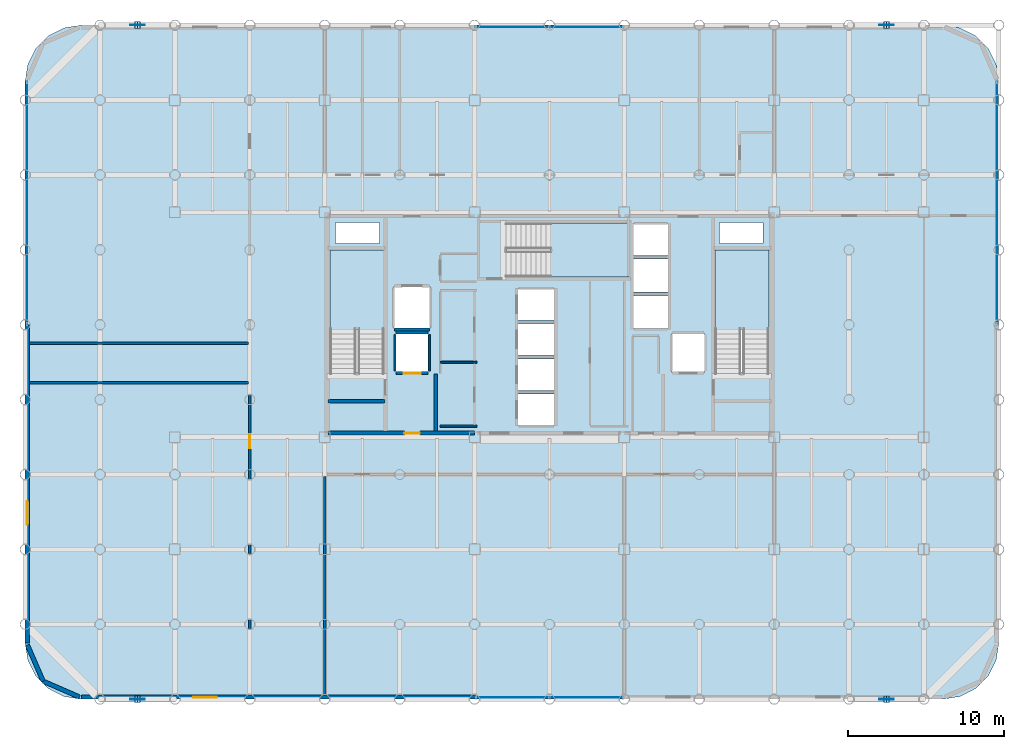
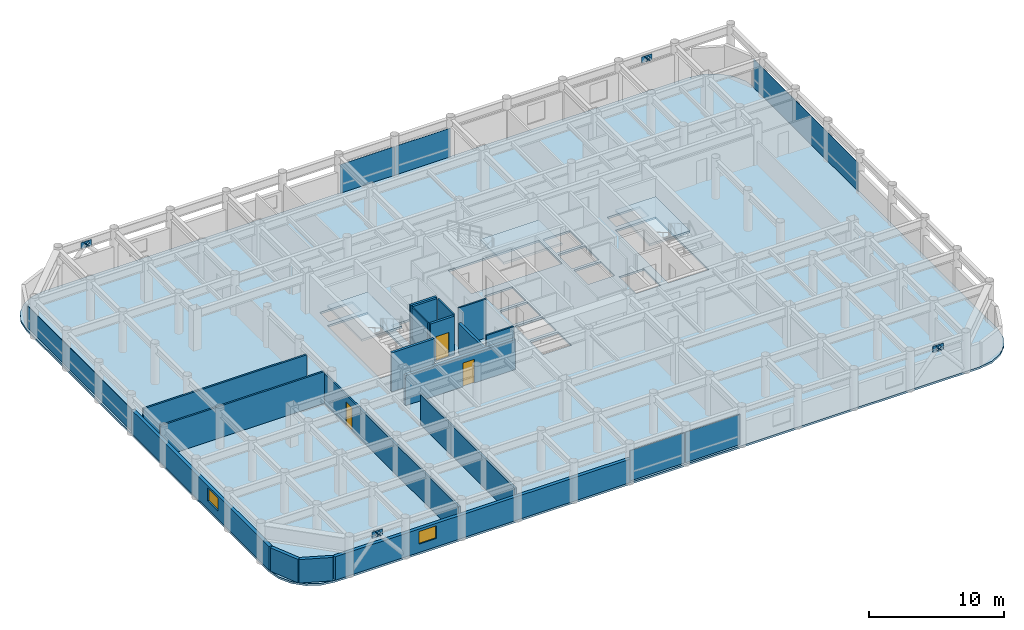
# One storey, part 15 of 19: 18 plates, 18 walls, 4 slabs, 3 doors, 2 windows, 5 openings, 7 elements without a shape of their own.
"""IFC4 building model written with IfcOpenShell, lengths in metres."""

from ifc_helpers import new_model, si_unit, direction, frame, frame_2d, origin, origin_2d, place, context, subcontext, project, spatial, polyline, rectangle, outline, extrude, material, layer, layer_set, type_object, element, fill, aggregate, save


model = new_model("IFC4")

# Units and contexts
model_context = context("Model", 3, precision=1e-05, world=origin(), true_north=direction((0.0, 1.0)))
body_context = subcontext(model_context, "Body", "Model", "MODEL_VIEW")
ifc_project = project(units=[si_unit("LENGTHUNIT", "METRE"), si_unit("AREAUNIT", "SQUARE_METRE"), si_unit("VOLUMEUNIT", "CUBIC_METRE"), si_unit("PLANEANGLEUNIT", "RADIAN"), si_unit("MASSUNIT", "GRAM", prefix="KILO")], contexts=[model_context])

# Site, building, storey
site_placement = place(None, origin())
site = spatial("IfcSite", under=ifc_project, at=site_placement, CompositionType="ELEMENT")
building_placement = place(site_placement, origin())
building = spatial("IfcBuilding", under=site, at=building_placement, Name="Kallvorn Hotel Tower", CompositionType="ELEMENT")
storey_placement = place(building_placement, frame((0.0, 0.0, 169.199951171875)))
storey = spatial("IfcBuildingStorey", under=building, at=storey_placement, Name="L42", CompositionType="ELEMENT", Elevation=169.199951171875)

# Curtain wall, plates
ifc_material_1 = material(Name="Thermally broken black-anodised aluminium AA 6063-T6", Category="aluminium")
ifc_layer_1 = layer(ifc_material_1, 0.2099609375)
ifc_layer_set_1 = layer_set([ifc_layer_1], Name="CW_SYS_4_HOTEL_MID")
curtain_wall_type = type_object("IfcCurtainWallType", Name="CW_SYS_4_HOTEL_MID", PredefinedType="USERDEFINED", material=ifc_layer_set_1)
curtain_wall_1_placement = place(storey_placement, origin())
curtain_wall_1 = element("IfcCurtainWall", 1, at=curtain_wall_1_placement, inside=storey, type_object=curtain_wall_type, Name="L42 Dark-Glass Curtain Wall CW-L42-SC", ObjectType="UNITISED CURTAIN WALL", PredefinedType="USERDEFINED")
ifc_material_2 = material(Name="Double-glazed low-e solar-control dark glass", Category="glass")
ifc_layer_2 = layer(ifc_material_2, 0.037841796875)
ifc_layer_set_2 = layer_set([ifc_layer_2], Name="CW_SYS_4_HOTEL_MID_PANEL")
plate_type_1 = type_object("IfcPlateType", Name="CW_SYS_4_HOTEL_MID_PANEL", PredefinedType="CURTAIN_PANEL", material=ifc_layer_set_2)
plate_1_placement = place(storey_placement, frame((-2.375, -23.8798828125, 0.06005859375), z_axis=(0.0, 0.0, 1.0), x_axis=(1.0, 0.0, 0.0)))
plate_1 = element("IfcPlate", 2, at=plate_1_placement, type_object=plate_type_1, Name="CW-L42-SC Vision Glass Panel 00", PredefinedType="CURTAIN_PANEL", context=body_context, shape_type="SweptSolid", body=[
    extrude(rectangle(XDim=4.68994140625, YDim=0.037841796875, at=origin_2d()), origin(), (0.0, 0.0, 1.0), 2.75),
])
plate_2_placement = place(storey_placement, frame((2.375, -23.8798828125, 0.06005859375), z_axis=(0.0, 0.0, 1.0), x_axis=(1.0, 0.0, 0.0)))
plate_2 = element("IfcPlate", 3, at=plate_2_placement, type_object=plate_type_1, Name="CW-L42-SC Vision Glass Panel 01", PredefinedType="CURTAIN_PANEL", context=body_context, shape_type="SweptSolid", body=[
    extrude(rectangle(XDim=4.68994140625, YDim=0.037841796875, at=origin_2d()), origin(), (0.0, 0.0, 1.0), 2.75),
])
aggregate(curtain_wall_1, [plate_1, plate_2])

curtain_wall_2_placement = place(storey_placement, origin())
curtain_wall_2 = element("IfcCurtainWall", 4, at=curtain_wall_2_placement, inside=storey, type_object=curtain_wall_type, Name="L42 Dark-Glass Curtain Wall CW-L42-NC", ObjectType="UNITISED CURTAIN WALL", PredefinedType="USERDEFINED")
plate_3_placement = place(storey_placement, frame((-2.375, 19.080078125, 0.06005859375), z_axis=(0.0, 0.0, 1.0), x_axis=(1.0, 0.0, 0.0)))
plate_3 = element("IfcPlate", 5, at=plate_3_placement, type_object=plate_type_1, Name="CW-L42-NC Vision Glass Panel 00", PredefinedType="CURTAIN_PANEL", context=body_context, shape_type="SweptSolid", body=[
    extrude(rectangle(XDim=4.68994140625, YDim=0.037841796875, at=origin_2d()), origin(), (0.0, 0.0, 1.0), 2.60009765625),
])
plate_4_placement = place(storey_placement, frame((2.375, 19.080078125, 0.06005859375), z_axis=(0.0, 0.0, 1.0), x_axis=(1.0, 0.0, 0.0)))
plate_4 = element("IfcPlate", 6, at=plate_4_placement, type_object=plate_type_1, Name="CW-L42-NC Vision Glass Panel 01", PredefinedType="CURTAIN_PANEL", context=body_context, shape_type="SweptSolid", body=[
    extrude(rectangle(XDim=4.68994140625, YDim=0.037841796875, at=origin_2d()), origin(), (0.0, 0.0, 1.0), 2.60009765625),
])
aggregate(curtain_wall_2, [plate_3, plate_4])

# Curtain wall, plate
curtain_wall_3_placement = place(storey_placement, origin())
curtain_wall_3 = element("IfcCurtainWall", 7, at=curtain_wall_3_placement, inside=storey, type_object=curtain_wall_type, Name="L42 Dark-Glass Curtain Wall CW-L42-WN", ObjectType="UNITISED CURTAIN WALL", PredefinedType="USERDEFINED")
plate_5_placement = place(storey_placement, frame((-33.47998046875, 7.81005859375, 0.06005859375), z_axis=(0.0, 0.0, 1.0), x_axis=(0.0, 1.0, 0.0)))
plate_5 = element("IfcPlate", 8, at=plate_5_placement, type_object=plate_type_1, Name="CW-L42-WN Vision Glass Panel 00", PredefinedType="CURTAIN_PANEL", context=body_context, shape_type="SweptSolid", body=[
    extrude(rectangle(XDim=15.52001953125, YDim=0.037841796875, at=origin_2d()), origin(), (0.0, 0.0, 1.0), 2.0),
])
aggregate(curtain_wall_3, [plate_5])

curtain_wall_4_placement = place(storey_placement, origin())
curtain_wall_4 = element("IfcCurtainWall", 9, at=curtain_wall_4_placement, inside=storey, type_object=curtain_wall_type, Name="L42 Dark-Glass Curtain Wall CW-L42-EN", ObjectType="UNITISED CURTAIN WALL", PredefinedType="USERDEFINED")
plate_6_placement = place(storey_placement, frame((28.679931640625, 7.81005859375, 0.06005859375), z_axis=(0.0, 0.0, 1.0), x_axis=(0.0, 1.0, 0.0)))
plate_6 = element("IfcPlate", 10, at=plate_6_placement, type_object=plate_type_1, Name="CW-L42-EN Vision Glass Panel 00", PredefinedType="CURTAIN_PANEL", context=body_context, shape_type="SweptSolid", body=[
    extrude(rectangle(XDim=15.52001953125, YDim=0.037841796875, at=origin_2d()), origin(), (0.0, 0.0, 1.0), 2.60009765625),
])
aggregate(curtain_wall_4, [plate_6])

# Plates
ifc_material_3 = material(Name="Structural steel S355JR", Category="steel")
ifc_layer_3 = layer(ifc_material_3, 0.030029296875)
ifc_layer_set_3 = layer_set([ifc_layer_3], Name="PLT_CAP_30")
plate_type_2 = type_object("IfcPlateType", Name="PLT_CAP_30", PredefinedType="SHEET", material=ifc_layer_set_3)
plate_7_placement = place(storey_placement, frame((-26.227294921875, -24.2177734375, 2.876708984375), z_axis=(0.646720691081, 0.0, 0.762726915565), x_axis=(0.0, 1.0, 0.0)))
element("IfcPlate", 11, at=plate_7_placement, inside=storey, type_object=plate_type_2, Name="EXO-L42-S1A End Cap Plate B", PredefinedType="SHEET", context=body_context, shape_type="SweptSolid", body=[
    extrude(outline(polyline([(0.0, 0.0), (0.435546875, 0.0), (0.435546875, 0.4356413597636253), (0.0, 0.4356413597636253), (0.0, 0.0)])), origin(), (0.0, 0.0, -1.0), 0.030029296875),
])
plate_8_placement = place(storey_placement, frame((-26.572509765625, -23.7822265625, 2.876708984375), z_axis=(-0.646997204148, 0.0, 0.762492372306), x_axis=(0.0, -1.0, 0.0)))
element("IfcPlate", 12, at=plate_8_placement, inside=storey, type_object=plate_type_2, Name="EXO-L42-S1B End Cap Plate B", PredefinedType="SHEET", context=body_context, shape_type="SweptSolid", body=[
    extrude(outline(polyline([(0.0, 0.0), (0.435546875, 0.0), (0.435546875, 0.43545517576240456), (0.0, 0.43545517576240456), (0.0, 0.0)])), origin(), (0.0, 0.0, -1.0), 0.030029296875),
])
plate_9_placement = place(storey_placement, frame((21.772705078125, -24.2177734375, 2.876708984375), z_axis=(0.646720691081, 0.0, 0.762726915565), x_axis=(0.0, 1.0, 0.0)))
element("IfcPlate", 13, at=plate_9_placement, inside=storey, type_object=plate_type_2, Name="EXO-L42-S2A End Cap Plate B", PredefinedType="SHEET", context=body_context, shape_type="SweptSolid", body=[
    extrude(outline(polyline([(0.0, 0.0), (0.435546875, 0.0), (0.435546875, 0.4356413597636253), (0.0, 0.4356413597636253), (0.0, 0.0)])), origin(), (0.0, 0.0, -1.0), 0.030029296875),
])
plate_10_placement = place(storey_placement, frame((21.427490234375, -23.7822265625, 2.876708984375), z_axis=(-0.646997204148, 0.0, 0.762492372306), x_axis=(0.0, -1.0, 0.0)))
element("IfcPlate", 14, at=plate_10_placement, inside=storey, type_object=plate_type_2, Name="EXO-L42-S2B End Cap Plate B", PredefinedType="SHEET", context=body_context, shape_type="SweptSolid", body=[
    extrude(outline(polyline([(0.0, 0.0), (0.435546875, 0.0), (0.435546875, 0.43545517576240456), (0.0, 0.43545517576240456), (0.0, 0.0)])), origin(), (0.0, 0.0, -1.0), 0.030029296875),
])
plate_11_placement = place(storey_placement, frame((-26.227294921875, 18.982177734375, 2.876708984375), z_axis=(0.646720691081, 0.0, 0.762726915565), x_axis=(0.0, 1.0, 0.0)))
element("IfcPlate", 15, at=plate_11_placement, inside=storey, type_object=plate_type_2, Name="EXO-L42-N1A End Cap Plate B", PredefinedType="SHEET", context=body_context, shape_type="SweptSolid", body=[
    extrude(outline(polyline([(0.0, 0.0), (0.435546875, 0.0), (0.435546875, 0.4356413597636253), (0.0, 0.4356413597636253), (0.0, 0.0)])), origin(), (0.0, 0.0, -1.0), 0.030029296875),
])
plate_12_placement = place(storey_placement, frame((-26.572509765625, 19.417724609375, 2.876708984375), z_axis=(-0.646997204148, 0.0, 0.762492372306), x_axis=(0.0, -1.0, 0.0)))
element("IfcPlate", 16, at=plate_12_placement, inside=storey, type_object=plate_type_2, Name="EXO-L42-N1B End Cap Plate B", PredefinedType="SHEET", context=body_context, shape_type="SweptSolid", body=[
    extrude(outline(polyline([(0.0, 0.0), (0.435546875, 0.0), (0.435546875, 0.43545517576240456), (0.0, 0.43545517576240456), (0.0, 0.0)])), origin(), (0.0, 0.0, -1.0), 0.030029296875),
])
plate_13_placement = place(storey_placement, frame((21.772705078125, 18.982177734375, 2.876708984375), z_axis=(0.646720691081, 0.0, 0.762726915565), x_axis=(0.0, 1.0, 0.0)))
element("IfcPlate", 17, at=plate_13_placement, inside=storey, type_object=plate_type_2, Name="EXO-L42-N2A End Cap Plate B", PredefinedType="SHEET", context=body_context, shape_type="SweptSolid", body=[
    extrude(outline(polyline([(0.0, 0.0), (0.435546875, 0.0), (0.435546875, 0.4356413597636253), (0.0, 0.4356413597636253), (0.0, 0.0)])), origin(), (0.0, 0.0, -1.0), 0.030029296875),
])
plate_14_placement = place(storey_placement, frame((21.427490234375, 19.417724609375, 2.876708984375), z_axis=(-0.646997204148, 0.0, 0.762492372306), x_axis=(0.0, -1.0, 0.0)))
element("IfcPlate", 18, at=plate_14_placement, inside=storey, type_object=plate_type_2, Name="EXO-L42-N2B End Cap Plate B", PredefinedType="SHEET", context=body_context, shape_type="SweptSolid", body=[
    extrude(outline(polyline([(0.0, 0.0), (0.435546875, 0.0), (0.435546875, 0.43545517576240456), (0.0, 0.43545517576240456), (0.0, 0.0)])), origin(), (0.0, 0.0, -1.0), 0.030029296875),
])
ifc_material_4 = material(Name="Structural steel S355JR", Category="steel")
ifc_layer_4 = layer(ifc_material_4, 0.034912109375)
ifc_layer_set_4 = layer_set([ifc_layer_4], Name="PLT_GUSSET_35")
plate_type_3 = type_object("IfcPlateType", Name="PLT_GUSSET_35", PredefinedType="USERDEFINED", material=ifc_layer_set_4)
for number, where, z_axis, x_axis, name in (
    (19, (-26.39990234375, -24.0, 2.68994140625), (0.0, 0.0, 1.0), (1.0, 0.0, 0.0), "L42 Exoskeleton Node Gusset S1"),
    (20, (21.60009765625, -24.0, 2.68994140625), (0.0, 0.0, 1.0), (1.0, 0.0, 0.0), "L42 Exoskeleton Node Gusset S2"),
    (21, (-26.39990234375, 19.199951171875, 2.68994140625), (0.0, 0.0, 1.0), (1.0, 0.0, 0.0), "L42 Exoskeleton Node Gusset N1"),
    (22, (21.60009765625, 19.199951171875, 2.68994140625), (0.0, 0.0, 1.0), (1.0, 0.0, 0.0), "L42 Exoskeleton Node Gusset N2"),
):
    element("IfcPlate", number, at=place(storey_placement, frame(where, z_axis=z_axis, x_axis=x_axis)), inside=storey, type_object=plate_type_3, Name=name, ObjectType="GUSSET PLATE", PredefinedType="USERDEFINED", context=body_context, shape_type="SweptSolid", body=[
        extrude(rectangle(XDim=0.89990234375, YDim=0.034912109375, at=origin_2d()), origin(), (0.0, 0.0, 1.0), 0.56005859375),
    ])

# Stair, slab
ifc_material_5 = material(Name="Precast concrete C40/50", Category="concrete")
stair_type = type_object("IfcStairType", Name="STR_CORE_DOGLEG", PredefinedType="HALF_TURN_STAIR", material=ifc_material_5)
stair_1_placement = place(storey_placement, origin())
stair_1 = element("IfcStair", 23, at=stair_1_placement, inside=storey, type_object=stair_type, Name="L42 Exit stair ST1", PredefinedType="HALF_TURN_STAIR")
ifc_material_6 = material(Name="Precast concrete C40/50", Category="concrete")
ifc_layer_5 = layer(ifc_material_6, 0.179931640625)
ifc_layer_set_5 = layer_set([ifc_layer_5], Name="SLB_LANDING_180")
slab_type_1 = type_object("IfcSlabType", Name="SLB_LANDING_180", PredefinedType="LANDING", material=ifc_layer_set_5)
slab_1_placement = place(storey_placement, frame((0.0, 0.0, 1.650146484375)))
slab_1 = element("IfcSlab", 24, at=slab_1_placement, type_object=slab_type_1, Name="ST1 landing 1", PredefinedType="LANDING", context=body_context, shape_type="SweptSolid", body=[
    extrude(outline(polyline([(-10.60009765625, -0.31005859375), (-10.60009765625, 4.800048828125), (-14.06005859375, 4.800048828125), (-14.06005859375, -0.31005859375), (-10.60009765625, -0.31005859375)])), origin(), (0.0, 0.0, 1.0), 0.199951171875),
])
aggregate(stair_1, [slab_1])

stair_2_placement = place(storey_placement, origin())
stair_2 = element("IfcStair", 25, at=stair_2_placement, inside=storey, type_object=stair_type, Name="L42 Exit stair ST2", PredefinedType="HALF_TURN_STAIR")
slab_2_placement = place(storey_placement, frame((0.0, 0.0, 1.650146484375)))
slab_2 = element("IfcSlab", 26, at=slab_2_placement, type_object=slab_type_1, Name="ST2 landing 1", PredefinedType="LANDING", context=body_context, shape_type="SweptSolid", body=[
    extrude(outline(polyline([(14.06005859375, -0.31005859375), (14.06005859375, 4.800048828125), (10.60009765625, 4.800048828125), (10.60009765625, -0.31005859375), (14.06005859375, -0.31005859375)])), origin(), (0.0, 0.0, 1.0), 0.199951171875),
])
aggregate(stair_2, [slab_2])

stair_3_placement = place(storey_placement, origin())
stair_3 = element("IfcStair", 27, at=stair_3_placement, inside=storey, type_object=stair_type, Name="L42 Exit stair ST3", PredefinedType="HALF_TURN_STAIR")
slab_3_placement = place(storey_placement, frame((0.0, 0.0, 1.650146484375)))
slab_3 = element("IfcSlab", 28, at=slab_3_placement, type_object=slab_type_1, Name="ST3 landing 1", PredefinedType="LANDING", context=body_context, shape_type="SweptSolid", body=[
    extrude(outline(polyline([(0.0400390625, 3.050048828125), (5.050048828125, 3.050048828125), (5.050048828125, 6.510009765625), (0.0400390625, 6.510009765625), (0.0400390625, 3.050048828125)])), origin(), (0.0, 0.0, 1.0), 0.199951171875),
])
aggregate(stair_3, [slab_3])

# Slab
ifc_material_7 = material(Name="Concrete C40/50", Category="concrete")
ifc_layer_6 = layer(ifc_material_7, 0.179931640625)
ifc_layer_set_6 = layer_set([ifc_layer_6], Name="SLB_TOWER_180")
slab_type_2 = type_object("IfcSlabType", Name="SLB_TOWER_180", PredefinedType="FLOOR", material=ifc_layer_set_6)
slab_4_placement = place(storey_placement, frame((0.0, 0.0, -0.179931640625)))
element("IfcSlab", 29, at=slab_4_placement, inside=storey, type_object=slab_type_2, Name="L42 Structural Floor Slab", PredefinedType="FLOOR", context=body_context, shape_type="SweptSolid", body=[
    extrude(outline(polyline([(25.199951171875, -24.0), (26.3125, -23.82373046875), (27.31591796875, -23.3125), (28.112548828125, -22.51611328125), (28.623779296875, -21.512451171875), (28.800048828125, -20.39990234375), (28.800048828125, 15.60009765625), (28.623779296875, 16.71240234375), (28.112548828125, 17.716064453125), (27.31591796875, 18.512451171875), (26.3125, 19.023681640625), (25.199951171875, 19.199951171875), (-30.0, 19.199951171875), (-31.112548828125, 19.023681640625), (-32.115966796875, 18.512451171875), (-32.91259765625, 17.716064453125), (-33.423828125, 16.71240234375), (-33.60009765625, 15.60009765625), (-33.60009765625, -20.39990234375), (-33.423828125, -21.512451171875), (-32.91259765625, -22.51611328125), (-32.115966796875, -23.3125), (-31.112548828125, -23.82373046875), (-30.0, -24.0), (25.199951171875, -24.0)]), holes=[polyline([(-10.60009765625, -3.070068359375), (-10.60009765625, 4.800048828125), (-14.06005859375, 4.800048828125), (-14.06005859375, -3.070068359375), (-10.60009765625, -3.070068359375)]), polyline([(14.06005859375, -3.070068359375), (14.06005859375, 4.800048828125), (10.60009765625, 4.800048828125), (10.60009765625, -3.070068359375), (14.06005859375, -3.070068359375)]), polyline([(-2.719970703125, 3.050048828125), (5.050048828125, 3.050048828125), (5.050048828125, 6.510009765625), (-2.719970703125, 6.510009765625), (-2.719970703125, 3.050048828125)]), polyline([(-2.050048828125, -6.449951171875), (0.35009765625, -6.449951171875), (0.35009765625, -4.449951171875), (-2.050048828125, -4.449951171875), (-2.050048828125, -6.449951171875)]), polyline([(-2.050048828125, -4.199951171875), (0.35009765625, -4.199951171875), (0.35009765625, -2.199951171875), (-2.050048828125, -2.199951171875), (-2.050048828125, -4.199951171875)]), polyline([(-2.050048828125, -1.949951171875), (0.35009765625, -1.949951171875), (0.35009765625, 0.050048828125), (-2.050048828125, 0.050048828125), (-2.050048828125, -1.949951171875)]), polyline([(-2.050048828125, 0.300048828125), (0.35009765625, 0.300048828125), (0.35009765625, 2.300048828125), (-2.050048828125, 2.300048828125), (-2.050048828125, 0.300048828125)]), polyline([(5.35009765625, -0.25), (7.64990234375, -0.25), (7.64990234375, 1.85009765625), (5.35009765625, 1.85009765625), (5.35009765625, -0.25)]), polyline([(5.35009765625, 2.10009765625), (7.64990234375, 2.10009765625), (7.64990234375, 4.199951171875), (5.35009765625, 4.199951171875), (5.35009765625, 2.10009765625)]), polyline([(5.35009765625, 4.449951171875), (7.64990234375, 4.449951171875), (7.64990234375, 6.449951171875), (5.35009765625, 6.449951171875), (5.35009765625, 4.449951171875)]), polyline([(-9.85009765625, -3.050048828125), (-7.75, -3.050048828125), (-7.75, -0.550048828125), (-9.85009765625, -0.550048828125), (-9.85009765625, -3.050048828125)]), polyline([(7.85009765625, -3.050048828125), (9.949951171875, -3.050048828125), (9.949951171875, -0.550048828125), (7.85009765625, -0.550048828125), (7.85009765625, -3.050048828125)]), polyline([(-9.949951171875, -0.25), (-7.64990234375, -0.25), (-7.64990234375, 2.449951171875), (-9.949951171875, 2.449951171875), (-9.949951171875, -0.25)]), polyline([(-13.699951171875, 5.199951171875), (-10.89990234375, 5.199951171875), (-10.89990234375, 6.550048828125), (-13.699951171875, 6.550048828125), (-13.699951171875, 5.199951171875)]), polyline([(10.89990234375, 5.199951171875), (13.699951171875, 5.199951171875), (13.699951171875, 6.550048828125), (10.89990234375, 6.550048828125), (10.89990234375, 5.199951171875)])]), origin(), (0.0, 0.0, 1.0), 0.179931640625),
])

# Walls
ifc_material_8 = material(Name="Precast basalt-clad insulated concrete wall C40/50", Category="masonry")
ifc_layer_7 = layer(ifc_material_8, 0.280029296875)
ifc_layer_set_7 = layer_set([ifc_layer_7], Name="WL_EXT_LOGGIA_280")
wall_type_1 = type_object("IfcWallType", Name="WL_EXT_LOGGIA_280", PredefinedType="SOLIDWALL", material=ifc_layer_set_7)
wall_1_placement = place(storey_placement, frame((-33.4580078125, -20.520751953125, 0.0), z_axis=(0.0, 0.0, 1.0), x_axis=(0.398792985289, -0.917040977756, 0.0)))
element("IfcWall", 30, at=wall_1_placement, inside=storey, type_object=wall_type_1, Name="L42 Rounded Corner Exterior Wall SW1", PredefinedType="SOLIDWALL", context=body_context, shape_type="SweptSolid", body=[
    extrude(rectangle(XDim=2.536376953125, YDim=0.280029296875, at=frame_2d((1.26806640625, 0.0))), origin(), (0.0, 0.0, 1.0), 2.1201171875),
])
wall_2_placement = place(storey_placement, frame((-32.446533203125, -22.8466796875, 0.0), z_axis=(0.0, 0.0, 1.0), x_axis=(0.917060872934, -0.398747232384, 0.0)))
element("IfcWall", 31, at=wall_2_placement, inside=storey, type_object=wall_type_1, Name="L42 Rounded Corner Exterior Wall SW2", PredefinedType="SOLIDWALL", context=body_context, shape_type="SweptSolid", body=[
    extrude(rectangle(XDim=2.5361328125, YDim=0.280029296875, at=frame_2d((1.26806640625, 0.0))), origin(), (0.0, 0.0, 1.0), 2.1201171875),
])

# Wall, opening, window
wall_3_placement = place(storey_placement, frame((-30.0, -23.860107421875, 0.0), z_axis=(0.0, 0.0, 1.0), x_axis=(1.0, 0.0, 0.0)))
wall_3 = element("IfcWall", 32, at=wall_3_placement, inside=storey, type_object=wall_type_1, Name="L42 Exterior Envelope Wall EW-L42-SW", PredefinedType="SOLIDWALL", context=body_context, shape_type="SweptSolid", body=[
    extrude(rectangle(XDim=25.25, YDim=0.280029296875, at=frame_2d((12.625, 0.0))), origin(), (0.0, 0.0, 1.0), 2.1201171875),
])
opening_1_placement = place(wall_3_placement, frame((7.1630859375, 0.0, 0.75)))
opening_1 = element("IfcOpeningElement", 33, at=opening_1_placement, cuts=wall_3, Name="Opening W05A", PredefinedType="OPENING", context=body_context, shape_type="SweptSolid", body=[
    extrude(rectangle(XDim=1.5, YDim=1.14990234375, at=frame_2d((0.75, 0.574951171875))), frame((0.0, 0.155029296875, 0.0), z_axis=(0.0, -1.0, 0.0), x_axis=(1.0, 0.0, 0.0)), (0.0, 0.0, 1.0), 0.31005859375),
])
ifc_material_9 = material(Name="Double-glazed low-e solar-control dark glass", Category="glass")
window_type = type_object("IfcWindowType", Name="WN_HTL_1500x1150", PartitioningType="SINGLE_PANEL", PredefinedType="WINDOW", material=ifc_material_9)
window_1_placement = place(opening_1_placement, origin())
window_1 = element("IfcWindow", 34, at=window_1_placement, inside=storey, type_object=window_type, Name="L42 Guestroom Exterior Window 01", OverallHeight=1.14990234375, OverallWidth=1.5, PartitioningType="SINGLE_PANEL", PredefinedType="WINDOW", context=body_context, shape_type="SweptSolid", body=[
    extrude(rectangle(XDim=1.5, YDim=1.14990234375, at=frame_2d((0.75, 0.574951171875))), frame((0.0, 0.030029296875, 0.0), z_axis=(0.0, -1.0, 0.0), x_axis=(1.0, 0.0, 0.0)), (0.0, 0.0, 1.0), 0.06005859375),
])
fill(opening_1, window_1)

wall_4_placement = place(storey_placement, frame((-33.4599609375, -20.39990234375, 0.0), z_axis=(0.0, 0.0, 1.0), x_axis=(0.0, 1.0, 0.0)))
wall_4 = element("IfcWall", 35, at=wall_4_placement, inside=storey, type_object=wall_type_1, Name="L42 Exterior Envelope Wall EW-L42-WS", PredefinedType="SOLIDWALL", context=body_context, shape_type="SweptSolid", body=[
    extrude(rectangle(XDim=20.3798828125, YDim=0.280029296875, at=frame_2d((10.18994140625, 0.0))), origin(), (0.0, 0.0, 1.0), 2.1201171875),
])
opening_2_placement = place(wall_4_placement, frame((7.590087890625, 0.0, 0.75)))
opening_2 = element("IfcOpeningElement", 36, at=opening_2_placement, cuts=wall_4, Name="Opening W05A", PredefinedType="OPENING", context=body_context, shape_type="SweptSolid", body=[
    extrude(rectangle(XDim=1.5, YDim=1.14990234375, at=frame_2d((0.75, 0.574951171875))), frame((0.0, 0.155029296875, 0.0), z_axis=(0.0, -1.0, 0.0), x_axis=(1.0, 0.0, 0.0)), (0.0, 0.0, 1.0), 0.31005859375),
])
window_2_placement = place(opening_2_placement, origin())
window_2 = element("IfcWindow", 37, at=window_2_placement, inside=storey, type_object=window_type, Name="L42 Flank Wing Window 02", OverallHeight=1.14990234375, OverallWidth=1.5, PartitioningType="SINGLE_PANEL", PredefinedType="WINDOW", context=body_context, shape_type="SweptSolid", body=[
    extrude(rectangle(XDim=1.5, YDim=1.14990234375, at=frame_2d((0.75, 0.574951171875))), frame((0.0, 0.030029296875, 0.0), z_axis=(0.0, -1.0, 0.0), x_axis=(1.0, 0.0, 0.0)), (0.0, 0.0, 1.0), 0.06005859375),
])
fill(opening_2, window_2)

# Walls
ifc_material_10 = material(Name="Concrete C40/50", Category="concrete")
ifc_layer_8 = layer(ifc_material_10, 0.219970703125)
ifc_layer_set_8 = layer_set([ifc_layer_8], Name="WL_FFL_220")
wall_type_2 = type_object("IfcWallType", Name="WL_FFL_220", PredefinedType="SOLIDWALL", material=ifc_layer_set_8)
wall_5_placement = place(storey_placement, frame((-7.300048828125, -6.820068359375, 0.0), z_axis=(0.0, 0.0, 1.0), x_axis=(0.0, 1.0, 0.0)))
element("IfcWall", 38, at=wall_5_placement, inside=storey, type_object=wall_type_2, Name="L42 Firefighting Lobby West Divider Wall", PredefinedType="SOLIDWALL", context=body_context, shape_type="SweptSolid", body=[
    extrude(rectangle(XDim=3.670166015625, YDim=0.219970703125, at=frame_2d((1.8349609375, 0.0))), origin(), (0.0, 0.0, 1.0), 2.719970703125),
])
ifc_material_11 = material(Name="Concrete C40/50", Category="concrete")
ifc_layer_9 = layer(ifc_material_11, 0.199951171875)
ifc_layer_set_9 = layer_set([ifc_layer_9], Name="WL_HOIST_200")
wall_type_3 = type_object("IfcWallType", Name="WL_HOIST_200", PredefinedType="SOLIDWALL", material=ifc_layer_set_9)
wall_6_placement = place(storey_placement, frame((-14.199951171875, -4.89990234375, -0.179931640625), z_axis=(0.0, 0.0, 1.0), x_axis=(1.0, 0.0, 0.0)))
element("IfcWall", 39, at=wall_6_placement, inside=storey, type_object=wall_type_3, Name="L42 Stair ST1 South Wall", PredefinedType="SOLIDWALL", context=body_context, shape_type="SweptSolid", body=[
    extrude(rectangle(XDim=3.64990234375, YDim=0.199951171875, at=frame_2d((1.824951171875, 0.0))), origin(), (0.0, 0.0, 1.0), 3.699951171875),
])

# Wall, opening, door
wall_7_placement = place(storey_placement, frame((-9.820068359375, -3.10009765625, 0.0), z_axis=(0.0, 0.0, 1.0), x_axis=(1.0, 0.0, 0.0)))
wall_7 = element("IfcWall", 40, at=wall_7_placement, inside=storey, type_object=wall_type_3, Name="L42 FL-1 Landing Wall", PredefinedType="SOLIDWALL", context=body_context, shape_type="SweptSolid", body=[
    extrude(rectangle(XDim=2.0400390625, YDim=0.199951171875, at=frame_2d((1.02001953125, 0.0))), origin(), (0.0, 0.0, 1.0), 3.52001953125),
])
opening_3_placement = place(wall_7_placement, frame((0.469970703125, 0.0, 0.0)))
opening_3 = element("IfcOpeningElement", 41, at=opening_3_placement, cuts=wall_7, Name="Opening LD-FL-1", PredefinedType="OPENING", context=body_context, shape_type="SweptSolid", body=[
    extrude(rectangle(XDim=1.10009765625, YDim=2.199951171875, at=frame_2d((0.550048828125, 1.10009765625))), frame((0.0, 0.114990234375, 0.0), z_axis=(0.0, -1.0, 0.0), x_axis=(1.0, 0.0, 0.0)), (0.0, 0.0, 1.0), 0.22998046875),
])
ifc_material_12 = material(Name="Brushed stainless-steel automatic sliding lift landing door", Category="steel")
door_type_1 = type_object("IfcDoorType", Name="LD_PASS_1100x2200", OperationType="SLIDING_TO_LEFT", PredefinedType="DOOR", material=ifc_material_12)
door_1_placement = place(opening_3_placement, origin())
door_1 = element("IfcDoor", 42, at=door_1_placement, inside=storey, type_object=door_type_1, Name="L42 Lift Landing Sliding Door LD-FL-1", OperationType="SLIDING_TO_LEFT", OverallHeight=2.199951171875, OverallWidth=1.10009765625, PredefinedType="DOOR", context=body_context, shape_type="SweptSolid", body=[
    extrude(rectangle(XDim=1.10009765625, YDim=2.199951171875, at=frame_2d((0.550048828125, 1.10009765625))), frame((0.0, 0.02490234375, 0.0), z_axis=(0.0, -1.0, 0.0), x_axis=(1.0, 0.0, 0.0)), (0.0, 0.0, 1.0), 0.050048828125),
])
fill(opening_3, door_1)

# Walls
wall_8_placement = place(storey_placement, frame((-9.820068359375, -0.5, 0.0), z_axis=(0.0, 0.0, 1.0), x_axis=(1.0, 0.0, 0.0)))
element("IfcWall", 43, at=wall_8_placement, inside=storey, type_object=wall_type_3, Name="L42 FL-1 Rear Shaft Wall", PredefinedType="SOLIDWALL", context=body_context, shape_type="SweptSolid", body=[
    extrude(rectangle(XDim=2.0400390625, YDim=0.199951171875, at=frame_2d((1.02001953125, 0.0))), origin(), (0.0, 0.0, 1.0), 3.52001953125),
])
wall_9_placement = place(storey_placement, frame((-9.919921875, -0.300048828125, 0.0), z_axis=(0.0, 0.0, 1.0), x_axis=(1.0, 0.0, 0.0)))
element("IfcWall", 44, at=wall_9_placement, inside=storey, type_object=wall_type_3, Name="L42 SV-01 Rear Shaft Wall", PredefinedType="SOLIDWALL", context=body_context, shape_type="SweptSolid", body=[
    extrude(rectangle(XDim=2.239990234375, YDim=0.199951171875, at=frame_2d((1.1201171875, 0.0))), origin(), (0.0, 0.0, 1.0), 3.52001953125),
])
ifc_material_13 = material(Name="Fire-rated double-layer acoustic gypsum drywall EI 60")
ifc_layer_10 = layer(ifc_material_13, 0.1201171875)
ifc_layer_set_10 = layer_set([ifc_layer_10], Name="WL_INT_120")
wall_type_4 = type_object("IfcWallType", Name="WL_INT_120", PredefinedType="PARTITIONING", material=ifc_layer_set_10)
for number, where, z_axis, x_axis, name in (
    (45, (-9.89990234375, -2.9599609375, 0.0), (0.0, 0.0, 1.0), (0.0, 1.0, 0.0), "L42 FL-1 West Shaft Wall"),
    (46, (-7.699951171875, -2.9599609375, 0.0), (0.0, 0.0, 1.0), (0.0, 1.0, 0.0), "L42 FL-1 East Shaft Wall"),
):
    element("IfcWall", number, at=place(storey_placement, frame(where, z_axis=z_axis, x_axis=x_axis)), inside=storey, type_object=wall_type_4, Name=name, PredefinedType="PARTITIONING", context=body_context, shape_type="SweptSolid", body=[
        extrude(rectangle(XDim=2.320068359375, YDim=0.1201171875, at=frame_2d((1.16015625, 0.0))), origin(), (0.0, 0.0, 1.0), 3.52001953125),
    ])
for number, where, z_axis, x_axis, name in (
    (47, (-7.0, -6.5, 0.0), (0.0, 0.0, 1.0), (1.0, 0.0, 0.0), "L42 Recaptured South Minibar Pantry Partition"),
    (48, (-7.0, -2.39990234375, 0.0), (0.0, 0.0, 1.0), (1.0, 0.0, 0.0), "L42 Recaptured Central Linen Store Partition"),
):
    element("IfcWall", number, at=place(storey_placement, frame(where, z_axis=z_axis, x_axis=x_axis)), inside=storey, type_object=wall_type_4, Name=name, PredefinedType="PARTITIONING", context=body_context, shape_type="SweptSolid", body=[
        extrude(rectangle(XDim=2.35009765625, YDim=0.1201171875, at=frame_2d((1.175048828125, 0.0))), origin(), (0.0, 0.0, 1.0), 3.52001953125),
    ])
ifc_material_14 = material(Name="Fire-rated double-layer acoustic gypsum drywall EI 60")
ifc_layer_11 = layer(ifc_material_14, 0.14990234375)
ifc_layer_set_11 = layer_set([ifc_layer_11], Name="WL_PART_150")
wall_type_5 = type_object("IfcWallType", Name="WL_PART_150", PredefinedType="PARTITIONING", material=ifc_layer_set_11)
for number, where, z_axis, x_axis, name in (
    (49, (-33.31005859375, -3.719970703125, 0.0), (0.0, 0.0, 1.0), (1.0, 0.0, 0.0), "L42 L42 South-West Botanical Dining Salon Partition"),
    (50, (-33.31005859375, -1.179931640625, 0.0), (0.0, 0.0, 1.0), (1.0, 0.0, 0.0), "L42 L42 North-West Cordillera Fitness Gymnasium Partition"),
):
    element("IfcWall", number, at=place(storey_placement, frame(where, z_axis=z_axis, x_axis=x_axis)), inside=storey, type_object=wall_type_5, Name=name, PredefinedType="PARTITIONING", context=body_context, shape_type="SweptSolid", body=[
        extrude(rectangle(XDim=14.030029296875, YDim=0.14990234375, at=frame_2d((7.01513671875, 0.0))), origin(), (0.0, 0.0, 1.0), 2.8701171875),
    ])

# Wall, opening, door
wall_10_placement = place(storey_placement, frame((-19.199951171875, -23.7099609375, 0.0), z_axis=(0.0, 0.0, 1.0), x_axis=(0.0, 1.0, 0.0)))
wall_10 = element("IfcWall", 51, at=wall_10_placement, inside=storey, type_object=wall_type_5, Name="L42 L42 South-West Botanical Dining Salon Partition", PredefinedType="PARTITIONING", context=body_context, shape_type="SweptSolid", body=[
    extrude(rectangle(XDim=19.905029296875, YDim=0.14990234375, at=frame_2d((9.95263671875, 0.0))), origin(), (0.0, 0.0, 1.0), 2.719970703125),
])
opening_4_placement = place(wall_10_placement, frame((15.790771484375, 0.0, 0.0)))
opening_4 = element("IfcOpeningElement", 52, at=opening_4_placement, cuts=wall_10, Name="Opening SVD1", PredefinedType="OPENING", context=body_context, shape_type="SweptSolid", body=[
    extrude(rectangle(XDim=0.89990234375, YDim=2.10009765625, at=frame_2d((0.449951171875, 1.050048828125))), frame((0.0, 0.08984375, 0.0), z_axis=(0.0, -1.0, 0.0), x_axis=(1.0, 0.0, 0.0)), (0.0, 0.0, 1.0), 0.179931640625),
])
ifc_material_15 = material(Name="Galvanised painted steel fire-rated door assembly", Category="steel")
door_type_2 = type_object("IfcDoorType", Name="DR_SERV_900x2100", OperationType="NOTDEFINED", PredefinedType="DOOR", material=ifc_material_15)
door_2_placement = place(opening_4_placement, origin())
door_2 = element("IfcDoor", 53, at=door_2_placement, inside=storey, type_object=door_type_2, Name="L42 L42 South-West Botanical Dining Salon Door", OperationType="SINGLE_SWING_LEFT", OverallHeight=2.10009765625, OverallWidth=0.89990234375, PredefinedType="DOOR", context=body_context, shape_type="SweptSolid", body=[
    extrude(rectangle(XDim=0.89990234375, YDim=2.10009765625, at=frame_2d((0.449951171875, 1.050048828125))), frame((0.0, 0.02490234375, 0.0), z_axis=(0.0, -1.0, 0.0), x_axis=(1.0, 0.0, 0.0)), (0.0, 0.0, 1.0), 0.050048828125),
])
fill(opening_4, door_2)

# Wall
wall_11_placement = place(storey_placement, frame((-14.39990234375, -23.7099609375, 0.0), z_axis=(0.0, 0.0, 1.0), x_axis=(0.0, 1.0, 0.0)))
element("IfcWall", 54, at=wall_11_placement, inside=storey, type_object=wall_type_5, Name="L42 L42 Diplomatic Summit Conference Boardroom 1 Partition", PredefinedType="PARTITIONING", context=body_context, shape_type="SweptSolid", body=[
    extrude(rectangle(XDim=13.989990234375, YDim=0.14990234375, at=frame_2d((6.9951171875, 0.0))), origin(), (0.0, 0.0, 1.0), 2.719970703125),
])

# Wall, opening, door
ifc_material_16 = material(Name="Concrete C40/50", Category="concrete")
ifc_layer_12 = layer(ifc_material_16, 0.25)
ifc_layer_set_12 = layer_set([ifc_layer_12], Name="WL_SHAFT_250")
wall_type_6 = type_object("IfcWallType", Name="WL_SHAFT_250", PredefinedType="SOLIDWALL", material=ifc_layer_set_12)
wall_12_placement = place(storey_placement, frame((-14.199951171875, -6.949951171875, 0.0), z_axis=(0.0, 0.0, 1.0), x_axis=(1.0, 0.0, 0.0)))
wall_12 = element("IfcWall", 55, at=wall_12_placement, inside=storey, type_object=wall_type_6, Name="L42 Core South-West Wall", PredefinedType="SOLIDWALL", context=body_context, shape_type="SweptSolid", body=[
    extrude(rectangle(XDim=9.39990234375, YDim=0.25, at=frame_2d((4.699951171875, 0.0))), origin(), (0.0, 0.0, 1.0), 2.719970703125),
])
opening_5_placement = place(wall_12_placement, frame((4.89990234375, 0.0, 0.0)))
opening_5 = element("IfcOpeningElement", 56, at=opening_5_placement, cuts=wall_12, Name="Opening FD1", PredefinedType="OPENING", context=body_context, shape_type="SweptSolid", body=[
    extrude(rectangle(XDim=1.0, YDim=2.14990234375, at=frame_2d((0.5, 1.074951171875))), frame((0.0, 0.139892578125, 0.0), z_axis=(0.0, -1.0, 0.0), x_axis=(1.0, 0.0, 0.0)), (0.0, 0.0, 1.0), 0.280029296875),
])
ifc_material_17 = material(Name="Galvanised painted steel fire-rated door assembly", Category="steel")
door_type_3 = type_object("IfcDoorType", Name="DR_FFL_1000x2150", OperationType="NOTDEFINED", PredefinedType="DOOR", material=ifc_material_17)
door_3_placement = place(opening_5_placement, origin())
door_3 = element("IfcDoor", 57, at=door_3_placement, inside=storey, type_object=door_type_3, Name="L42 Firefighting Lobby West Door", OperationType="SINGLE_SWING_LEFT", OverallHeight=2.14990234375, OverallWidth=1.0, PredefinedType="DOOR", context=body_context, shape_type="SweptSolid", body=[
    extrude(rectangle(XDim=1.0, YDim=2.14990234375, at=frame_2d((0.5, 1.074951171875))), frame((0.0, 0.02490234375, 0.0), z_axis=(0.0, -1.0, 0.0), x_axis=(1.0, 0.0, 0.0)), (0.0, 0.0, 1.0), 0.050048828125),
])
fill(opening_5, door_3)

save(model, "model.ifc")
